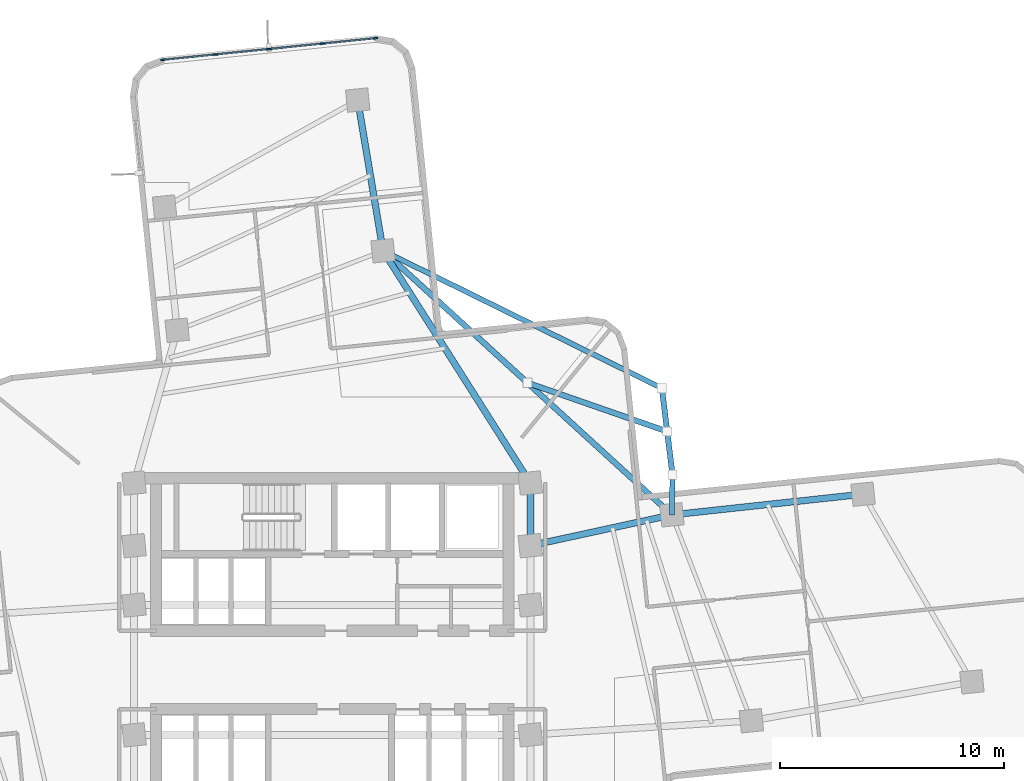
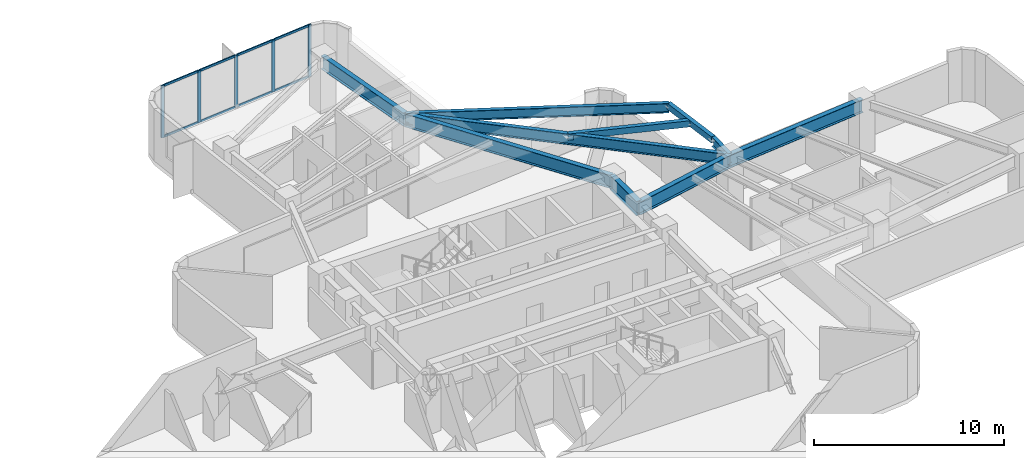
# One storey, part 4 of 12: 13 members, 10 beams, 1 element without a shape of its own.
"""IFC4 building model written with IfcOpenShell, lengths in metres."""

from ifc_helpers import new_model, si_unit, direction, frame, origin, origin_2d, place, context, subcontext, project, spatial, rectangle, hollow_rectangle, i_section, extrude, material, layer, layer_set, material_profile, profile_set, type_object, element, aggregate, save


model = new_model("IFC4")

# Units and contexts
model_context = context("Model", 3, precision=1e-05, world=origin(), true_north=direction((0.0, 1.0)))
body_context = subcontext(model_context, "Body", "Model", "MODEL_VIEW")
ifc_project = project(units=[si_unit("LENGTHUNIT", "METRE"), si_unit("AREAUNIT", "SQUARE_METRE"), si_unit("VOLUMEUNIT", "CUBIC_METRE"), si_unit("PLANEANGLEUNIT", "RADIAN"), si_unit("MASSUNIT", "GRAM", prefix="KILO")], contexts=[model_context])

# Site, building, storey
site_placement = place(None, origin())
site = spatial("IfcSite", under=ifc_project, at=site_placement, CompositionType="ELEMENT")
building_placement = place(site_placement, origin())
building = spatial("IfcBuilding", under=site, at=building_placement, Name="Solmarez Civic Tower", CompositionType="ELEMENT")
storey_placement = place(building_placement, frame((0.0, 0.0, 74.8798828125)))
storey = spatial("IfcBuildingStorey", under=building, at=storey_placement, Name="L19", CompositionType="ELEMENT", Elevation=74.8798828125)

# Beams
ifc_material_1 = material(Name="Steel S355", Category="steel")
ifc_material_profile_1 = material_profile(ifc_material_1, i_section(OverallWidth=0.25390625, OverallDepth=0.68798828125, WebThickness=0.01318359375, FlangeThickness=0.02099609375, at=origin_2d()), Name="W27X102")
ifc_profile_set_1 = profile_set([ifc_material_profile_1], Name="Steel S355")
beam_type_1 = type_object("IfcBeamType", Name="BM-PR-W27X102", PredefinedType="BEAM", material=ifc_profile_set_1)
beam_1_placement = place(storey_placement, frame((15.175048828125, 6.927001953125, 2.99609375), z_axis=(-0.738053646973, 0.674742035292, 0.0), x_axis=(-0.674742035292, -0.738053646973, 0.0)))
element("IfcBeam", 1, at=beam_1_placement, inside=storey, type_object=beam_type_1, Name="L19 Primary Floor Beam BM-L19-BALC-NEC", PredefinedType="BEAM", context=body_context, shape_type="SweptSolid", body=[
    extrude(i_section(OverallWidth=0.25390625, OverallDepth=0.68798828125, WebThickness=0.01318359375, FlangeThickness=0.02099609375, at=origin_2d()), origin(), (0.0, 0.0, 1.0), 17.48388671875),
])
ifc_material_profile_2 = material_profile(ifc_material_1, i_section(OverallWidth=0.2919921875, OverallDepth=0.845947265625, WebThickness=0.015380859375, FlangeThickness=0.0244140625, at=origin_2d()), Name="W33X141")
ifc_profile_set_2 = profile_set([ifc_material_profile_2], Name="Steel S355")
beam_type_2 = type_object("IfcBeamType", Name="BM-PR-W33X141", PredefinedType="BEAM", material=ifc_profile_set_2)
beam_2_placement = place(storey_placement, frame((8.85009765625, 5.550048828125, 2.917236328125), z_axis=(0.977113347202, 0.212719314402, 0.0), x_axis=(-0.212719314402, 0.977113347202, 0.0)))
element("IfcBeam", 2, at=beam_2_placement, inside=storey, type_object=beam_type_2, Name="L19 Primary Floor Beam BM-L19-EA-R1B", PredefinedType="BEAM", context=body_context, shape_type="SweptSolid", body=[
    extrude(i_section(OverallWidth=0.2919921875, OverallDepth=0.845947265625, WebThickness=0.015380859375, FlangeThickness=0.0244140625, at=origin_2d()), origin(), (0.0, 0.0, 1.0), 6.47314453125),
])
beam_3_placement = place(storey_placement, frame((15.175048828125, 6.927001953125, 2.917236328125), z_axis=(0.994196782435, 0.107576753045, 0.0), x_axis=(-0.107576753045, 0.994196782435, 0.0)))
element("IfcBeam", 3, at=beam_3_placement, inside=storey, type_object=beam_type_2, Name="L19 Primary Floor Beam BM-L19-EA-R2B", PredefinedType="BEAM", context=body_context, shape_type="SweptSolid", body=[
    extrude(i_section(OverallWidth=0.2919921875, OverallDepth=0.845947265625, WebThickness=0.015380859375, FlangeThickness=0.0244140625, at=origin_2d()), origin(), (0.0, 0.0, 1.0), 8.58984375),
])
beam_4_placement = place(storey_placement, frame((8.85009765625, 8.35009765625, 2.917236328125), z_axis=(-0.535568299099, 0.84449191648, 0.0), x_axis=(-0.84449191648, -0.535568299099, 0.0)))
element("IfcBeam", 4, at=beam_4_placement, inside=storey, type_object=beam_type_2, Name="L19 Primary Floor Beam BM-L19-NA-R1A", PredefinedType="BEAM", context=body_context, shape_type="SweptSolid", body=[
    extrude(i_section(OverallWidth=0.2919921875, OverallDepth=0.845947265625, WebThickness=0.015380859375, FlangeThickness=0.0244140625, at=origin_2d()), origin(), (0.0, 0.0, 1.0), 12.284423828125),
])
beam_5_placement = place(storey_placement, frame((2.27099609375, 18.72412109375, 2.917236328125), z_axis=(-0.165813708215, 0.986157094062, 0.0), x_axis=(-0.986157094062, -0.165813708215, 0.0)))
element("IfcBeam", 5, at=beam_5_placement, inside=storey, type_object=beam_type_2, Name="L19 Primary Floor Beam BM-L19-NA-R2A", PredefinedType="BEAM", context=body_context, shape_type="SweptSolid", body=[
    extrude(i_section(OverallWidth=0.2919921875, OverallDepth=0.845947265625, WebThickness=0.015380859375, FlangeThickness=0.0244140625, at=origin_2d()), origin(), (0.0, 0.0, 1.0), 6.827392578125),
])
ifc_material_profile_3 = material_profile(ifc_material_1, i_section(OverallWidth=0.306884765625, OverallDepth=0.927001953125, WebThickness=0.019287109375, FlangeThickness=0.031982421875, at=origin_2d()), Name="W36X194")
ifc_profile_set_3 = profile_set([ifc_material_profile_3], Name="Steel S355")
beam_type_3 = type_object("IfcBeamType", Name="BM-PR-W36X194", PredefinedType="BEAM", material=ifc_profile_set_3)
beam_6_placement = place(storey_placement, frame((8.85009765625, 5.550048828125, 2.877197265625), z_axis=(0.0, 1.0, 0.0), x_axis=(-1.0, 0.0, 0.0)))
element("IfcBeam", 6, at=beam_6_placement, inside=storey, type_object=beam_type_3, Name="L19 Primary Floor Beam BM-L19-HC8-HC11", PredefinedType="BEAM", context=body_context, shape_type="SweptSolid", body=[
    extrude(i_section(OverallWidth=0.306884765625, OverallDepth=0.927001953125, WebThickness=0.019287109375, FlangeThickness=0.031982421875, at=origin_2d()), origin(), (0.0, 0.0, 1.0), 2.800048828125),
])
ifc_material_profile_4 = material_profile(ifc_material_1, hollow_rectangle(XDim=0.25, YDim=0.39990234375, WallThickness=0.01611328125, at=origin_2d()), Name="HSS400X250X16")
ifc_profile_set_4 = profile_set([ifc_material_profile_4], Name="Steel S355")
beam_type_4 = type_object("IfcBeamType", Name="BM-SP-HSS400X250", PredefinedType="SPANDREL", material=ifc_profile_set_4)
beam_7_placement = place(storey_placement, frame((15.200927734375, 8.718017578125, 3.14013671875), z_axis=(-0.121791735099, 0.992555677663, 0.0), x_axis=(-0.992555677663, -0.121791735099, 0.0)))
element("IfcBeam", 7, at=beam_7_placement, inside=storey, type_object=beam_type_4, Name="L19 Perimeter Spandrel Beam BM-L19-BALC-NEE", PredefinedType="SPANDREL", context=body_context, shape_type="SweptSolid", body=[
    extrude(hollow_rectangle(XDim=0.25, YDim=0.39990234375, WallThickness=0.01611328125, at=origin_2d()), origin(), (0.0, 0.0, 1.0), 3.89892578125),
])
beam_8_placement = place(storey_placement, frame((8.722900390625, 12.824951171875, 3.14013671875), z_axis=(0.944428981285, -0.328715529462, 0.0), x_axis=(0.328715529462, 0.944428981285, 0.0)))
element("IfcBeam", 8, at=beam_8_placement, inside=storey, type_object=beam_type_4, Name="L19 Perimeter Spandrel Beam BM-L19-BALC-NEM", PredefinedType="SPANDREL", context=body_context, shape_type="SweptSolid", body=[
    extrude(hollow_rectangle(XDim=0.25, YDim=0.39990234375, WallThickness=0.01611328125, at=origin_2d()), origin(), (0.0, 0.0, 1.0), 6.607177734375),
])
ifc_material_profile_5 = material_profile(ifc_material_1, i_section(OverallWidth=0.22900390625, OverallDepth=0.612060546875, WebThickness=0.011962890625, FlangeThickness=0.01953125, at=origin_2d()), Name="W24X84")
ifc_profile_set_5 = profile_set([ifc_material_profile_5], Name="Steel S355")
beam_type_5 = type_object("IfcBeamType", Name="BM-SP-W24X84", PredefinedType="SPANDREL", material=ifc_profile_set_5)
beam_9_placement = place(storey_placement, frame((15.175048828125, 6.927001953125, 3.0341796875), z_axis=(0.014447783027, 0.999895625336, 0.0), x_axis=(-0.999895625336, 0.014447783027, 0.0)))
element("IfcBeam", 9, at=beam_9_placement, inside=storey, type_object=beam_type_5, Name="L19 Perimeter Spandrel Beam BM-L19-BALC-NE1", PredefinedType="SPANDREL", context=body_context, shape_type="SweptSolid", body=[
    extrude(i_section(OverallWidth=0.22900390625, OverallDepth=0.612060546875, WebThickness=0.011962890625, FlangeThickness=0.01953125, at=origin_2d()), origin(), (0.0, 0.0, 1.0), 1.791259765625),
])
beam_10_placement = place(storey_placement, frame((2.27099609375, 18.72412109375, 3.0341796875), z_axis=(0.897042216925, -0.441944862008, 0.0), x_axis=(0.441944862008, 0.897042216925, 0.0)))
element("IfcBeam", 10, at=beam_10_placement, inside=storey, type_object=beam_type_5, Name="L19 Perimeter Spandrel Beam BM-L19-BALC-NE2", PredefinedType="SPANDREL", context=body_context, shape_type="SweptSolid", body=[
    extrude(i_section(OverallWidth=0.22900390625, OverallDepth=0.612060546875, WebThickness=0.011962890625, FlangeThickness=0.01953125, at=origin_2d()), origin(), (0.0, 0.0, 1.0), 13.884521484375),
])

# Curtain wall, members
ifc_material_2 = material(Name="Bronze Anodised Aluminium EN AW-6063 T6", Category="aluminium")
ifc_layer = layer(ifc_material_2, 0.199951171875)
ifc_layer_set = layer_set([ifc_layer], Name="Bronze Anodised Aluminium EN AW-6063 T6")
curtain_wall_type = type_object("IfcCurtainWallType", Name="CW-SYS-1", PredefinedType="NOTDEFINED", material=ifc_layer_set)
curtain_wall_placement = place(storey_placement, origin())
curtain_wall = element("IfcCurtainWall", 11, at=curtain_wall_placement, inside=storey, type_object=curtain_wall_type, Name="L19 Stick-Built Curtain Wall 2", PredefinedType="NOTDEFINED")
ifc_material_profile_6 = material_profile(ifc_material_2, rectangle(XDim=0.074951171875, YDim=0.199951171875, at=origin_2d()), Name="CWM-75X200")
ifc_profile_set_6 = profile_set([ifc_material_profile_6], Name="Bronze Anodised Aluminium EN AW-6063 T6")
member_type_1 = type_object("IfcMemberType", Name="CWM-TYPE-1", PredefinedType="MULLION", material=ifc_profile_set_6)
member_1_placement = place(storey_placement, frame((-7.564697265625, 27.2548828125, 0.0), z_axis=(0.0, 0.0, 1.0), x_axis=(-0.101160893168, 0.994870078801, 0.0)))
member_1 = element("IfcMember", 12, at=member_1_placement, type_object=member_type_1, Name="CWS1 mullion 1", PredefinedType="MULLION", context=body_context, shape_type="SweptSolid", body=[
    extrude(rectangle(XDim=0.074951171875, YDim=0.199951171875, at=origin_2d()), origin(), (0.0, 0.0, 1.0), 3.340087890625),
])
member_2_placement = place(storey_placement, frame((-5.209716796875, 27.494140625, 0.0), z_axis=(0.0, 0.0, 1.0), x_axis=(-0.101160893168, 0.994870078801, 0.0)))
member_2 = element("IfcMember", 13, at=member_2_placement, type_object=member_type_1, Name="CWS1 mullion 2", PredefinedType="MULLION", context=body_context, shape_type="SweptSolid", body=[
    extrude(rectangle(XDim=0.074951171875, YDim=0.199951171875, at=origin_2d()), origin(), (0.0, 0.0, 1.0), 3.340087890625),
])
member_3_placement = place(storey_placement, frame((-2.8173828125, 27.737548828125, 0.0), z_axis=(0.0, 0.0, 1.0), x_axis=(-0.101160893168, 0.994870078801, 0.0)))
member_3 = element("IfcMember", 14, at=member_3_placement, type_object=member_type_1, Name="CWS1 mullion 3", PredefinedType="MULLION", context=body_context, shape_type="SweptSolid", body=[
    extrude(rectangle(XDim=0.074951171875, YDim=0.199951171875, at=origin_2d()), origin(), (0.0, 0.0, 1.0), 3.340087890625),
])
member_4_placement = place(storey_placement, frame((-0.42529296875, 27.980712890625, 0.0), z_axis=(0.0, 0.0, 1.0), x_axis=(-0.101160893168, 0.994870078801, 0.0)))
member_4 = element("IfcMember", 15, at=member_4_placement, type_object=member_type_1, Name="CWS1 mullion 4", PredefinedType="MULLION", context=body_context, shape_type="SweptSolid", body=[
    extrude(rectangle(XDim=0.074951171875, YDim=0.199951171875, at=origin_2d()), origin(), (0.0, 0.0, 1.0), 3.340087890625),
])
member_5_placement = place(storey_placement, frame((1.9296875, 28.22021484375, 0.0), z_axis=(0.0, 0.0, 1.0), x_axis=(-0.101160893168, 0.994870078801, 0.0)))
member_5 = element("IfcMember", 16, at=member_5_placement, type_object=member_type_1, Name="CWS1 mullion 5", PredefinedType="MULLION", context=body_context, shape_type="SweptSolid", body=[
    extrude(rectangle(XDim=0.074951171875, YDim=0.199951171875, at=origin_2d()), origin(), (0.0, 0.0, 1.0), 3.340087890625),
])
ifc_material_profile_7 = material_profile(ifc_material_2, rectangle(XDim=0.070068359375, YDim=0.139892578125, at=origin_2d()), Name="CWT-70X140")
ifc_profile_set_7 = profile_set([ifc_material_profile_7], Name="Bronze Anodised Aluminium EN AW-6063 T6")
member_type_2 = type_object("IfcMemberType", Name="CWT-TYPE-1", PredefinedType="USERDEFINED", material=ifc_profile_set_7)
member_6_placement = place(storey_placement, frame((-7.52734375, 27.258544921875, 0.03515625), z_axis=(0.994867019954, 0.10119097098, 0.0), x_axis=(-0.10119097098, 0.994867019954, 0.0)))
member_6 = element("IfcMember", 17, at=member_6_placement, type_object=member_type_2, Name="CWS1 transom 1.1", ObjectType="TRANSOM", PredefinedType="USERDEFINED", context=body_context, shape_type="SweptSolid", body=[
    extrude(rectangle(XDim=0.070068359375, YDim=0.139892578125, at=origin_2d()), origin(), (0.0, 0.0, 1.0), 2.2919921875),
])
member_7_placement = place(storey_placement, frame((-7.52734375, 27.258544921875, 3.30517578125), z_axis=(0.994867019954, 0.10119097098, 0.0), x_axis=(-0.10119097098, 0.994867019954, 0.0)))
member_7 = element("IfcMember", 18, at=member_7_placement, type_object=member_type_2, Name="CWS1 transom 1.2", ObjectType="TRANSOM", PredefinedType="USERDEFINED", context=body_context, shape_type="SweptSolid", body=[
    extrude(rectangle(XDim=0.070068359375, YDim=0.139892578125, at=origin_2d()), origin(), (0.0, 0.0, 1.0), 2.2919921875),
])
member_8_placement = place(storey_placement, frame((-5.17236328125, 27.498046875, 0.03515625), z_axis=(0.994872948637, 0.101132665694, 0.0), x_axis=(-0.101132665694, 0.994872948637, 0.0)))
member_8 = element("IfcMember", 19, at=member_8_placement, type_object=member_type_2, Name="CWS1 transom 2.1", ObjectType="TRANSOM", PredefinedType="USERDEFINED", context=body_context, shape_type="SweptSolid", body=[
    extrude(rectangle(XDim=0.070068359375, YDim=0.139892578125, at=origin_2d()), origin(), (0.0, 0.0, 1.0), 2.32958984375),
])
member_9_placement = place(storey_placement, frame((-5.17236328125, 27.498046875, 3.30517578125), z_axis=(0.994872948637, 0.101132665694, 0.0), x_axis=(-0.101132665694, 0.994872948637, 0.0)))
member_9 = element("IfcMember", 20, at=member_9_placement, type_object=member_type_2, Name="CWS1 transom 2.2", ObjectType="TRANSOM", PredefinedType="USERDEFINED", context=body_context, shape_type="SweptSolid", body=[
    extrude(rectangle(XDim=0.070068359375, YDim=0.139892578125, at=origin_2d()), origin(), (0.0, 0.0, 1.0), 2.32958984375),
])
member_10_placement = place(storey_placement, frame((-2.7802734375, 27.7412109375, 0.03515625), z_axis=(0.994862398909, 0.101236392852, 0.0), x_axis=(-0.101236392852, 0.994862398909, 0.0)))
member_10 = element("IfcMember", 21, at=member_10_placement, type_object=member_type_2, Name="CWS1 transom 3.1", ObjectType="TRANSOM", PredefinedType="USERDEFINED", context=body_context, shape_type="SweptSolid", body=[
    extrude(rectangle(XDim=0.070068359375, YDim=0.139892578125, at=origin_2d()), origin(), (0.0, 0.0, 1.0), 2.32958984375),
])
member_11_placement = place(storey_placement, frame((-2.7802734375, 27.7412109375, 3.30517578125), z_axis=(0.994862398909, 0.101236392852, 0.0), x_axis=(-0.101236392852, 0.994862398909, 0.0)))
member_11 = element("IfcMember", 22, at=member_11_placement, type_object=member_type_2, Name="CWS1 transom 3.2", ObjectType="TRANSOM", PredefinedType="USERDEFINED", context=body_context, shape_type="SweptSolid", body=[
    extrude(rectangle(XDim=0.070068359375, YDim=0.139892578125, at=origin_2d()), origin(), (0.0, 0.0, 1.0), 2.32958984375),
])
member_12_placement = place(storey_placement, frame((-0.387939453125, 27.984619140625, 0.03515625), z_axis=(0.994877737697, 0.101085543156, 0.0), x_axis=(-0.101085543156, 0.994877737697, 0.0)))
member_12 = element("IfcMember", 23, at=member_12_placement, type_object=member_type_2, Name="CWS1 transom 4.1", ObjectType="TRANSOM", PredefinedType="USERDEFINED", context=body_context, shape_type="SweptSolid", body=[
    extrude(rectangle(XDim=0.070068359375, YDim=0.139892578125, at=origin_2d()), origin(), (0.0, 0.0, 1.0), 2.2919921875),
])
member_13_placement = place(storey_placement, frame((-0.387939453125, 27.984619140625, 3.30517578125), z_axis=(0.994877737697, 0.101085543156, 0.0), x_axis=(-0.101085543156, 0.994877737697, 0.0)))
member_13 = element("IfcMember", 24, at=member_13_placement, type_object=member_type_2, Name="CWS1 transom 4.2", ObjectType="TRANSOM", PredefinedType="USERDEFINED", context=body_context, shape_type="SweptSolid", body=[
    extrude(rectangle(XDim=0.070068359375, YDim=0.139892578125, at=origin_2d()), origin(), (0.0, 0.0, 1.0), 2.2919921875),
])
aggregate(curtain_wall, [member_1, member_2, member_3, member_4, member_5, member_6, member_7, member_8, member_9, member_10, member_11, member_12, member_13])

save(model, "model.ifc")
